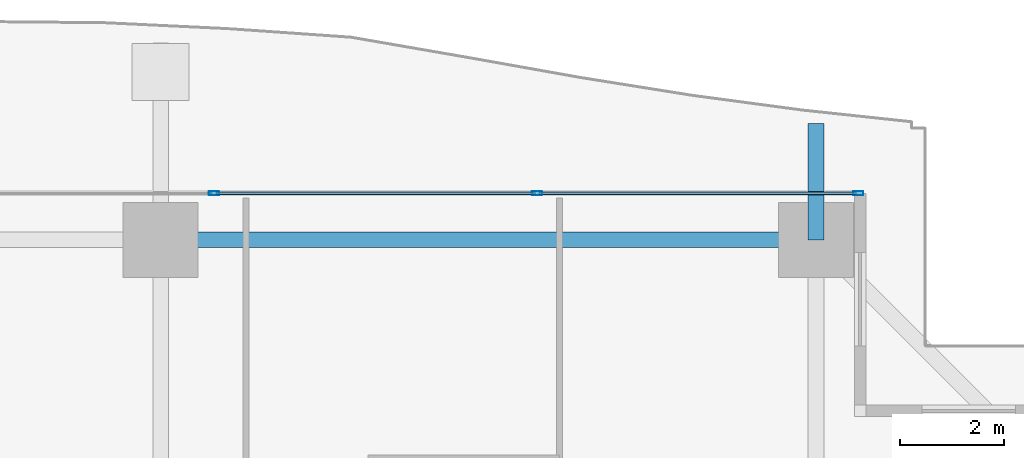
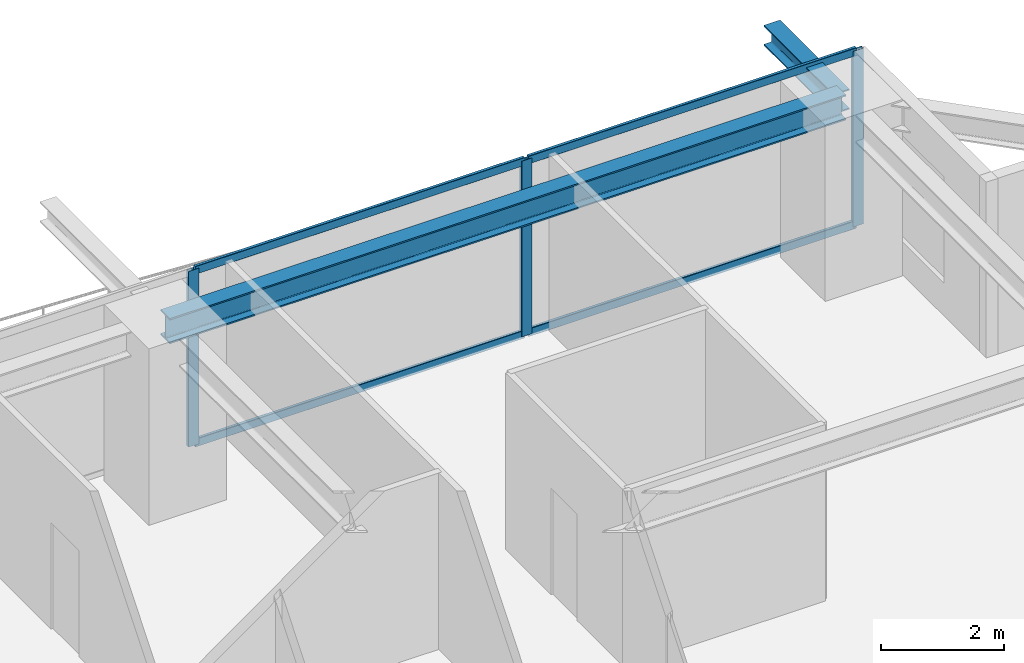
# One storey, part 25 of 38: 7 members, 2 beams, 1 element without a shape of its own.
"""IFC4 building model written with IfcOpenShell, lengths in metres."""

from ifc_helpers import new_model, si_unit, direction, frame, origin, origin_2d, place, context, subcontext, project, spatial, hollow_rectangle, i_section, extrude, source, transform, mapped, material, layer, layer_set, material_profile, profile_set, type_object, element, aggregate, save


model = new_model("IFC4")

# Units and contexts
model_context = context("Model", 3, precision=1e-05, world=origin(), true_north=direction((0.0, 1.0)))
body_context = subcontext(model_context, "Body", "Model", "MODEL_VIEW")
ifc_project = project(units=[si_unit("LENGTHUNIT", "METRE"), si_unit("AREAUNIT", "SQUARE_METRE"), si_unit("VOLUMEUNIT", "CUBIC_METRE"), si_unit("PLANEANGLEUNIT", "RADIAN"), si_unit("MASSUNIT", "GRAM", prefix="KILO")], contexts=[model_context])

# Site, building, storey
site_placement = place(None, origin())
site = spatial("IfcSite", under=ifc_project, at=site_placement, CompositionType="ELEMENT")
building_placement = place(site_placement, origin())
building = spatial("IfcBuilding", under=site, at=building_placement, Name="Serunith Strait Residences", CompositionType="ELEMENT")
storey_placement = place(building_placement, frame((0.0, 0.0, 67.949951171875)))
storey = spatial("IfcBuildingStorey", under=building, at=storey_placement, Name="L16", CompositionType="ELEMENT", Elevation=67.949951171875)

# Beams
ifc_material_1 = material(Name="Steel S355J2", Category="steel")
ifc_material_profile_1 = material_profile(ifc_material_1, i_section(OverallWidth=0.300048828125, OverallDepth=0.5, WebThickness=0.014404296875, FlangeThickness=0.028076171875, FilletRadius=0.027099609375, at=origin_2d()), Name="HEB 500")
ifc_profile_set_1 = profile_set([ifc_material_profile_1], Name="Steel S355J2")
beam_type_1 = type_object("IfcBeamType", Name="BM-HEB500", PredefinedType="BEAM", material=ifc_profile_set_1)
shared_shape_1 = source(origin(), body_context, "Body", "SweptSolid", [
    extrude(i_section(OverallWidth=0.300048828125, OverallDepth=0.5, WebThickness=0.014404296875, FlangeThickness=0.028076171875, FilletRadius=0.027099609375, at=origin_2d()), origin(), (0.0, 0.0, 1.0), 12.650146484375),
])
beam_1_placement = place(storey_placement, frame((49.550048828125, 49.300048828125, 3.237060546875), z_axis=(-1.0, 0.0, 0.0), x_axis=(0.0, -1.0, 0.0)))
element("IfcBeam", 1, at=beam_1_placement, inside=storey, type_object=beam_type_1, Name="L16 Perimeter Ring Beam 09", PredefinedType="BEAM", context=body_context, shape_type="MappedRepresentation", body=[
    mapped(shared_shape_1, transform((0.0, 0.0, 0.0), scale=1.0)),
])
ifc_material_profile_2 = material_profile(ifc_material_1, i_section(OverallWidth=0.300048828125, OverallDepth=0.39990234375, WebThickness=0.013427734375, FlangeThickness=0.02392578125, FilletRadius=0.027099609375, at=origin_2d()), Name="HEB 400")
ifc_profile_set_2 = profile_set([ifc_material_profile_2], Name="Steel S355J2")
beam_type_2 = type_object("IfcBeamType", Name="BM-HEB400", PredefinedType="BEAM", material=ifc_profile_set_2)
shared_shape_2 = source(origin(), body_context, "Body", "SweptSolid", [
    extrude(i_section(OverallWidth=0.300048828125, OverallDepth=0.39990234375, WebThickness=0.013427734375, FlangeThickness=0.02392578125, FilletRadius=0.027099609375, at=origin_2d()), origin(), (0.0, 0.0, 1.0), 2.250244140625),
])
beam_2_placement = place(storey_placement, frame((49.550048828125, 49.300048828125, 3.257080078125), z_axis=(0.0, 1.0, 0.0), x_axis=(-1.0, 0.0, 0.0)))
element("IfcBeam", 2, at=beam_2_placement, inside=storey, type_object=beam_type_2, Name="L17 Cantilevered Balcony Rib TC-N4", PredefinedType="BEAM", context=body_context, shape_type="MappedRepresentation", body=[
    mapped(shared_shape_2, transform((0.0, 0.0, 0.0), scale=1.0)),
])

# Curtain wall, members
ifc_material_2 = material(Name="Pale-Champagne Anodised Aluminium", Category="aluminium")
ifc_layer = layer(ifc_material_2, 0.199951171875, Name="Pale-Champagne Anodised Aluminium")
ifc_layer_set = layer_set([ifc_layer], Name="Pale-Champagne Anodised Aluminium")
curtain_wall_type = type_object("IfcCurtainWallType", Name="CW-SYS1", PredefinedType="NOTDEFINED", material=ifc_layer_set)
curtain_wall_placement = place(storey_placement, origin())
curtain_wall = element("IfcCurtainWall", 3, at=curtain_wall_placement, inside=storey, type_object=curtain_wall_type, Name="L16 N Unitised Fritted Curtain Wall", PredefinedType="NOTDEFINED")
ifc_material_profile_3 = material_profile(ifc_material_2, hollow_rectangle(XDim=0.070068359375, YDim=0.199951171875, WallThickness=0.00390625, InnerFilletRadius=0.006103515625, OuterFilletRadius=0.010009765625, at=origin_2d()), Name="ALU 200x70x4")
ifc_profile_set_3 = profile_set([ifc_material_profile_3], Name="Pale-Champagne Anodised Aluminium")
member_type_1 = type_object("IfcMemberType", Name="CW-SYS1-MULL", PredefinedType="MULLION", material=ifc_profile_set_3)
shared_shape_3 = source(origin(), body_context, "Body", "SweptSolid", [
    extrude(hollow_rectangle(XDim=0.070068359375, YDim=0.199951171875, WallThickness=0.00390625, InnerFilletRadius=0.006103515625, OuterFilletRadius=0.010009765625, at=origin_2d()), origin(), (0.0, 0.0, 1.0), 3.47509765625),
])
member_1_placement = place(storey_placement, frame((50.364990234375, 50.199951171875, 0.0), z_axis=(0.0, 0.0, 1.0), x_axis=(0.0, -1.0, 0.0)))
member_1 = element("IfcMember", 4, at=member_1_placement, type_object=member_type_1, Name="CW-1 mullion 1", PredefinedType="MULLION", context=body_context, shape_type="MappedRepresentation", body=[
    mapped(shared_shape_3, transform((0.0, 0.0, 0.0), scale=1.0)),
])
member_2_placement = place(storey_placement, frame((44.166748046875, 50.199951171875, 0.0), z_axis=(0.0, 0.0, 1.0), x_axis=(0.0, -1.0, 0.0)))
member_2 = element("IfcMember", 5, at=member_2_placement, type_object=member_type_1, Name="CW-1 mullion 2", PredefinedType="MULLION", context=body_context, shape_type="MappedRepresentation", body=[
    mapped(shared_shape_3, transform((0.0, 0.0, 0.0), scale=1.0)),
])
member_3_placement = place(storey_placement, frame((37.933349609375, 50.199951171875, 0.0), z_axis=(0.0, 0.0, 1.0), x_axis=(0.0, -1.0, 0.0)))
member_3 = element("IfcMember", 6, at=member_3_placement, type_object=member_type_1, Name="CW-1 mullion 3", PredefinedType="MULLION", context=body_context, shape_type="MappedRepresentation", body=[
    mapped(shared_shape_3, transform((0.0, 0.0, 0.0), scale=1.0)),
])
ifc_material_profile_4 = material_profile(ifc_material_2, hollow_rectangle(XDim=0.06005859375, YDim=0.159912109375, WallThickness=0.00341796875, InnerFilletRadius=0.00537109375, OuterFilletRadius=0.0087890625, at=origin_2d()), Name="ALU 160x60x3.5")
ifc_profile_set_4 = profile_set([ifc_material_profile_4], Name="Pale-Champagne Anodised Aluminium")
member_type_2 = type_object("IfcMemberType", Name="CW-SYS1-TRAN", PredefinedType="USERDEFINED", material=ifc_profile_set_4)
shared_shape_4 = source(origin(), body_context, "Body", "SweptSolid", [
    extrude(hollow_rectangle(XDim=0.06005859375, YDim=0.159912109375, WallThickness=0.00341796875, InnerFilletRadius=0.00537109375, OuterFilletRadius=0.0087890625, at=origin_2d()), origin(), (0.0, 0.0, 1.0), 6.12841796875),
])
member_4_placement = place(storey_placement, frame((50.330078125, 50.199951171875, 0.030029296875), z_axis=(-1.0, 0.0, 0.0), x_axis=(0.0, -1.0, 0.0)))
member_4 = element("IfcMember", 7, at=member_4_placement, type_object=member_type_2, Name="CW-1 transom 1.1", ObjectType="TRANSOM", PredefinedType="USERDEFINED", context=body_context, shape_type="MappedRepresentation", body=[
    mapped(shared_shape_4, transform((0.0, 0.0, 0.0), scale=1.0)),
])
member_5_placement = place(storey_placement, frame((50.330078125, 50.199951171875, 3.445068359375), z_axis=(-1.0, 0.0, 0.0), x_axis=(0.0, -1.0, 0.0)))
member_5 = element("IfcMember", 8, at=member_5_placement, type_object=member_type_2, Name="CW-1 transom 1.2", ObjectType="TRANSOM", PredefinedType="USERDEFINED", context=body_context, shape_type="MappedRepresentation", body=[
    mapped(shared_shape_4, transform((0.0, 0.0, 0.0), scale=1.0)),
])
shared_shape_5 = source(origin(), body_context, "Body", "SweptSolid", [
    extrude(hollow_rectangle(XDim=0.06005859375, YDim=0.159912109375, WallThickness=0.00341796875, InnerFilletRadius=0.00537109375, OuterFilletRadius=0.0087890625, at=origin_2d()), origin(), (0.0, 0.0, 1.0), 6.163330078125),
])
member_6_placement = place(storey_placement, frame((44.131591796875, 50.199951171875, 0.030029296875), z_axis=(-1.0, 0.0, 0.0), x_axis=(0.0, -1.0, 0.0)))
member_6 = element("IfcMember", 9, at=member_6_placement, type_object=member_type_2, Name="CW-1 transom 2.1", ObjectType="TRANSOM", PredefinedType="USERDEFINED", context=body_context, shape_type="MappedRepresentation", body=[
    mapped(shared_shape_5, transform((0.0, 0.0, 0.0), scale=1.0)),
])
member_7_placement = place(storey_placement, frame((44.131591796875, 50.199951171875, 3.445068359375), z_axis=(-1.0, 0.0, 0.0), x_axis=(0.0, -1.0, 0.0)))
member_7 = element("IfcMember", 10, at=member_7_placement, type_object=member_type_2, Name="CW-1 transom 2.2", ObjectType="TRANSOM", PredefinedType="USERDEFINED", context=body_context, shape_type="MappedRepresentation", body=[
    mapped(shared_shape_5, transform((0.0, 0.0, 0.0), scale=1.0)),
])
aggregate(curtain_wall, [member_1, member_2, member_3, member_4, member_5, member_6, member_7])

save(model, "model.ifc")
